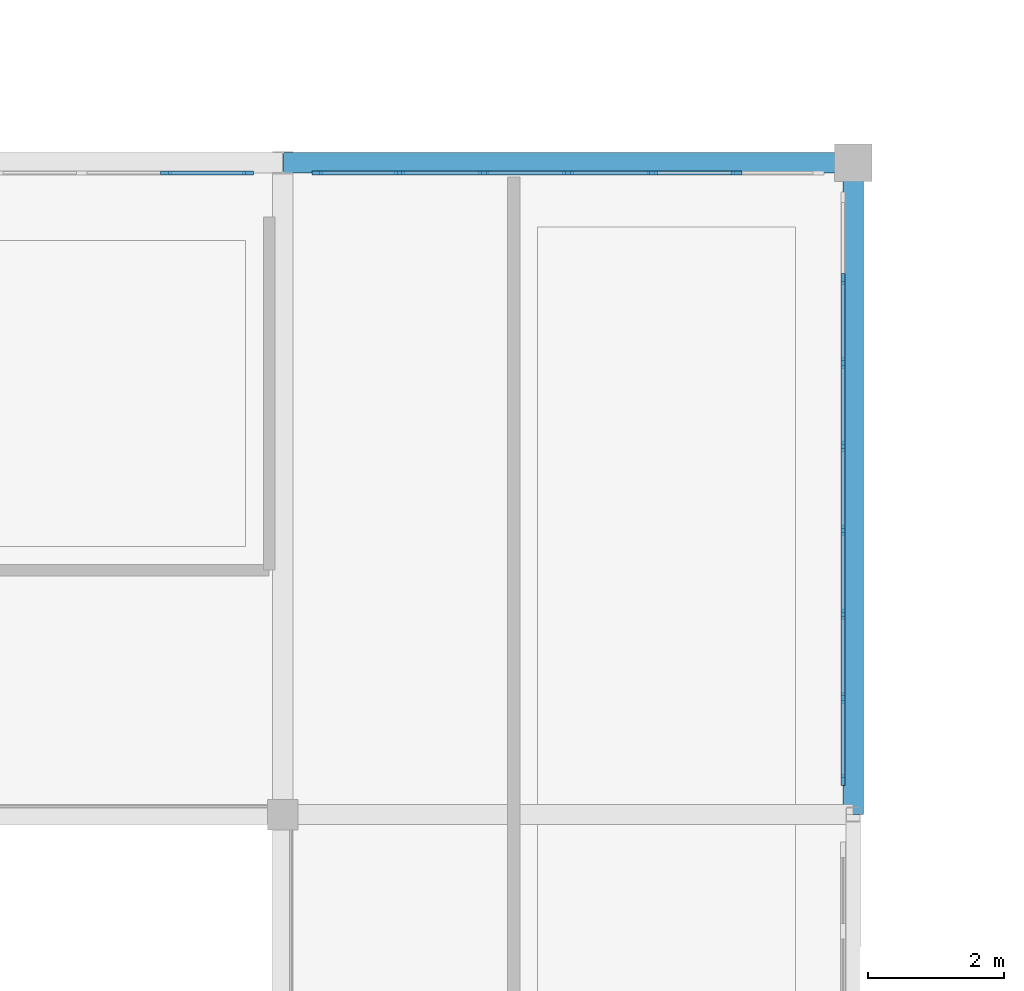
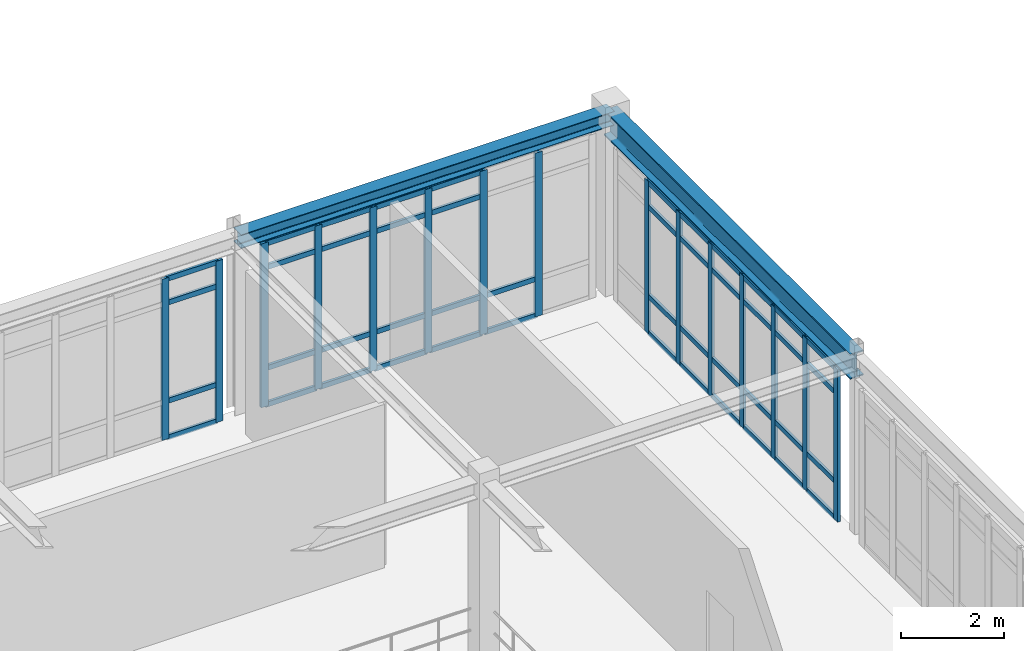
# One storey, part 62 of 106: 61 members, 2 beams, 3 elements without a shape of their own.
"""IFC4 building model written with IfcOpenShell, lengths in metres."""

from ifc_helpers import new_model, si_unit, derived_unit, direction, frame, origin, origin_2d, place, context, subcontext, project, spatial, rectangle, i_section, extrude, material, layer, layer_set, material_profile, profile_set, type_object, element, aggregate, save


model = new_model("IFC4")

# Units and contexts
model_context = context("Model", 3, precision=1e-05, world=origin(), true_north=direction((0.0, 1.0)))
body_context = subcontext(model_context, "Body", "Model", "MODEL_VIEW")
ifc_project = project(units=[si_unit("LENGTHUNIT", "METRE"), si_unit("AREAUNIT", "SQUARE_METRE"), si_unit("VOLUMEUNIT", "CUBIC_METRE"), si_unit("PLANEANGLEUNIT", "RADIAN"), si_unit("MASSUNIT", "GRAM", prefix="KILO"), derived_unit("THERMALTRANSMITTANCEUNIT", [(si_unit("POWERUNIT", "WATT"), 1), (si_unit("AREAUNIT", "SQUARE_METRE"), -1), (si_unit("THERMODYNAMICTEMPERATUREUNIT", "KELVIN"), -1)])], contexts=[model_context])

# Site, building, storey
site_placement = place(None, origin())
site = spatial("IfcSite", under=ifc_project, at=site_placement, CompositionType="ELEMENT")
building_placement = place(site_placement, origin())
building = spatial("IfcBuilding", under=site, at=building_placement, Name="Yasenodar Specialist Clinic", CompositionType="ELEMENT")
storey_placement = place(building_placement, frame((0.0, 0.0, 4.5)))
storey = spatial("IfcBuildingStorey", under=building, at=storey_placement, Name="L01", CompositionType="ELEMENT", Elevation=4.5)

# Beams
ifc_material_1 = material(Name="Steel S355", Category="steel")
ifc_material_profile_1 = material_profile(ifc_material_1, i_section(OverallWidth=0.300048828125, OverallDepth=0.330078125, WebThickness=0.009521484375, FlangeThickness=0.0166015625, FilletRadius=0.027099609375, at=origin_2d()), Name="HEA 340")
ifc_profile_set_1 = profile_set([ifc_material_profile_1], Name="Steel S355")
beam_type_1 = type_object("IfcBeamType", Name="BM-HEA340", PredefinedType="BEAM", material=ifc_profile_set_1)
beam_1_placement = place(storey_placement, frame((130.199951171875, 34.800048828125, 4.0849609375), z_axis=(1.0, 0.0, 0.0), x_axis=(0.0, 1.0, 0.0)))
element("IfcBeam", 1, at=beam_1_placement, inside=storey, type_object=beam_type_1, Name="L01 Primary E-W Girder", PredefinedType="BEAM", context=body_context, shape_type="SweptSolid", body=[
    extrude(i_section(OverallWidth=0.300048828125, OverallDepth=0.330078125, WebThickness=0.009521484375, FlangeThickness=0.0166015625, FilletRadius=0.027099609375, at=origin_2d()), origin(), (0.0, 0.0, 1.0), 8.400146484375),
])
ifc_material_profile_2 = material_profile(ifc_material_1, i_section(OverallWidth=0.300048828125, OverallDepth=0.60009765625, WebThickness=0.015380859375, FlangeThickness=0.030029296875, FilletRadius=0.027099609375, at=origin_2d()), Name="HEB 600")
ifc_profile_set_2 = profile_set([ifc_material_profile_2], Name="Steel S355")
beam_type_2 = type_object("IfcBeamType", Name="BM-HEB600", PredefinedType="BEAM", material=ifc_profile_set_2)
beam_2_placement = place(storey_placement, frame((138.60009765625, 25.199951171875, 3.949951171875), z_axis=(0.0, 1.0, 0.0), x_axis=(-1.0, 0.0, 0.0)))
element("IfcBeam", 2, at=beam_2_placement, inside=storey, type_object=beam_type_2, Name="L01 Primary N-S Girder", PredefinedType="BEAM", context=body_context, shape_type="SweptSolid", body=[
    extrude(i_section(OverallWidth=0.300048828125, OverallDepth=0.60009765625, WebThickness=0.015380859375, FlangeThickness=0.030029296875, FilletRadius=0.027099609375, at=origin_2d()), origin(), (0.0, 0.0, 1.0), 9.60009765625),
])

# Curtain wall, members
ifc_material_2 = material(Name="Bronze Anodized Aluminium and Triple Low-E Glass", Category="aluminium")
ifc_layer = layer(ifc_material_2, 0.178955078125)
ifc_layer_set = layer_set([ifc_layer], Name="Bronze Anodized Aluminium and Triple Low-E Glass")
curtain_wall_type = type_object("IfcCurtainWallType", Name="CW-SYS-02", PredefinedType="USERDEFINED", material=ifc_layer_set)
curtain_wall_1_placement = place(storey_placement, origin())
curtain_wall_1 = element("IfcCurtainWall", 3, at=curtain_wall_1_placement, inside=storey, type_object=curtain_wall_type, Name="L01 Unitised Curtain Wall 097", ObjectType="UNITISED CURTAIN WALL", PredefinedType="USERDEFINED")
ifc_material_3 = material(Name="Bronze Anodized Aluminium", Category="aluminium")
ifc_material_profile_3 = material_profile(ifc_material_3, rectangle(XDim=0.06005859375, YDim=0.159912109375, at=origin_2d()), Name="CW-MULL 60x160")
ifc_profile_set_3 = profile_set([ifc_material_profile_3], Name="Bronze Anodized Aluminium")
member_type_1 = type_object("IfcMemberType", Name="CW-MULL-160", PredefinedType="MULLION", material=ifc_profile_set_3)
member_1_placement = place(storey_placement, frame((128.47998046875, 34.64990234375, 0.0), z_axis=(0.0, 0.0, 1.0), x_axis=(0.0, 1.0, 0.0)))
member_1 = element("IfcMember", 4, at=member_1_placement, type_object=member_type_1, Name="CW-02 mullion 6", PredefinedType="MULLION", context=body_context, shape_type="SweptSolid", body=[
    extrude(rectangle(XDim=0.06005859375, YDim=0.159912109375, at=origin_2d()), origin(), (0.0, 0.0, 1.0), 3.837890625),
])
member_2_placement = place(storey_placement, frame((129.68994140625, 34.64990234375, 0.0), z_axis=(0.0, 0.0, 1.0), x_axis=(0.0, 1.0, 0.0)))
member_2 = element("IfcMember", 5, at=member_2_placement, type_object=member_type_1, Name="CW-02 mullion 7", PredefinedType="MULLION", context=body_context, shape_type="SweptSolid", body=[
    extrude(rectangle(XDim=0.06005859375, YDim=0.159912109375, at=origin_2d()), origin(), (0.0, 0.0, 1.0), 3.837890625),
])

curtain_wall_2_placement = place(storey_placement, origin())
curtain_wall_2 = element("IfcCurtainWall", 6, at=curtain_wall_2_placement, inside=storey, type_object=curtain_wall_type, Name="L01 Unitised Curtain Wall 098", ObjectType="UNITISED CURTAIN WALL", PredefinedType="USERDEFINED")
member_3_placement = place(storey_placement, frame((130.7099609375, 34.64990234375, 0.0), z_axis=(0.0, 0.0, 1.0), x_axis=(0.0, 1.0, 0.0)))
member_3 = element("IfcMember", 7, at=member_3_placement, type_object=member_type_1, Name="CW-02 mullion 1", PredefinedType="MULLION", context=body_context, shape_type="SweptSolid", body=[
    extrude(rectangle(XDim=0.06005859375, YDim=0.159912109375, at=origin_2d()), origin(), (0.0, 0.0, 1.0), 3.89794921875),
])
member_4_placement = place(storey_placement, frame((131.919921875, 34.64990234375, 0.0), z_axis=(0.0, 0.0, 1.0), x_axis=(0.0, 1.0, 0.0)))
member_4 = element("IfcMember", 8, at=member_4_placement, type_object=member_type_1, Name="CW-02 mullion 2", PredefinedType="MULLION", context=body_context, shape_type="SweptSolid", body=[
    extrude(rectangle(XDim=0.06005859375, YDim=0.159912109375, at=origin_2d()), origin(), (0.0, 0.0, 1.0), 3.89794921875),
])
member_5_placement = place(storey_placement, frame((133.159912109375, 34.64990234375, 0.0), z_axis=(0.0, 0.0, 1.0), x_axis=(0.0, 1.0, 0.0)))
member_5 = element("IfcMember", 9, at=member_5_placement, type_object=member_type_1, Name="CW-02 mullion 3", PredefinedType="MULLION", context=body_context, shape_type="SweptSolid", body=[
    extrude(rectangle(XDim=0.06005859375, YDim=0.159912109375, at=origin_2d()), origin(), (0.0, 0.0, 1.0), 3.89794921875),
])
member_6_placement = place(storey_placement, frame((134.39990234375, 34.64990234375, 0.0), z_axis=(0.0, 0.0, 1.0), x_axis=(0.0, 1.0, 0.0)))
member_6 = element("IfcMember", 10, at=member_6_placement, type_object=member_type_1, Name="CW-02 mullion 4", PredefinedType="MULLION", context=body_context, shape_type="SweptSolid", body=[
    extrude(rectangle(XDim=0.06005859375, YDim=0.159912109375, at=origin_2d()), origin(), (0.0, 0.0, 1.0), 3.89794921875),
])
member_7_placement = place(storey_placement, frame((135.639892578125, 34.64990234375, 0.0), z_axis=(0.0, 0.0, 1.0), x_axis=(0.0, 1.0, 0.0)))
member_7 = element("IfcMember", 11, at=member_7_placement, type_object=member_type_1, Name="CW-02 mullion 5", PredefinedType="MULLION", context=body_context, shape_type="SweptSolid", body=[
    extrude(rectangle(XDim=0.06005859375, YDim=0.159912109375, at=origin_2d()), origin(), (0.0, 0.0, 1.0), 3.89794921875),
])
member_8_placement = place(storey_placement, frame((136.8798828125, 34.64990234375, 0.0), z_axis=(0.0, 0.0, 1.0), x_axis=(0.0, 1.0, 0.0)))
member_8 = element("IfcMember", 12, at=member_8_placement, type_object=member_type_1, Name="CW-02 mullion 6", PredefinedType="MULLION", context=body_context, shape_type="SweptSolid", body=[
    extrude(rectangle(XDim=0.06005859375, YDim=0.159912109375, at=origin_2d()), origin(), (0.0, 0.0, 1.0), 3.89794921875),
])

curtain_wall_3_placement = place(storey_placement, origin())
curtain_wall_3 = element("IfcCurtainWall", 13, at=curtain_wall_3_placement, inside=storey, type_object=curtain_wall_type, Name="L01 Unitised Curtain Wall 099", ObjectType="UNITISED CURTAIN WALL", PredefinedType="USERDEFINED")
member_9_placement = place(storey_placement, frame((138.449951171875, 33.085693359375, 0.0), z_axis=(0.0, 0.0, 1.0), x_axis=(1.0, 0.0, 0.0)))
member_9 = element("IfcMember", 14, at=member_9_placement, type_object=member_type_1, Name="CW-02 mullion 2", PredefinedType="MULLION", context=body_context, shape_type="SweptSolid", body=[
    extrude(rectangle(XDim=0.06005859375, YDim=0.159912109375, at=origin_2d()), origin(), (0.0, 0.0, 1.0), 3.6279296875),
])
member_10_placement = place(storey_placement, frame((138.449951171875, 31.851318359375, 0.0), z_axis=(0.0, 0.0, 1.0), x_axis=(1.0, 0.0, 0.0)))
member_10 = element("IfcMember", 15, at=member_10_placement, type_object=member_type_1, Name="CW-02 mullion 3", PredefinedType="MULLION", context=body_context, shape_type="SweptSolid", body=[
    extrude(rectangle(XDim=0.06005859375, YDim=0.159912109375, at=origin_2d()), origin(), (0.0, 0.0, 1.0), 3.6279296875),
])
member_11_placement = place(storey_placement, frame((138.449951171875, 30.6171875, 0.0), z_axis=(0.0, 0.0, 1.0), x_axis=(1.0, 0.0, 0.0)))
member_11 = element("IfcMember", 16, at=member_11_placement, type_object=member_type_1, Name="CW-02 mullion 4", PredefinedType="MULLION", context=body_context, shape_type="SweptSolid", body=[
    extrude(rectangle(XDim=0.06005859375, YDim=0.159912109375, at=origin_2d()), origin(), (0.0, 0.0, 1.0), 3.6279296875),
])
member_12_placement = place(storey_placement, frame((138.449951171875, 29.3828125, 0.0), z_axis=(0.0, 0.0, 1.0), x_axis=(1.0, 0.0, 0.0)))
member_12 = element("IfcMember", 17, at=member_12_placement, type_object=member_type_1, Name="CW-02 mullion 5", PredefinedType="MULLION", context=body_context, shape_type="SweptSolid", body=[
    extrude(rectangle(XDim=0.06005859375, YDim=0.159912109375, at=origin_2d()), origin(), (0.0, 0.0, 1.0), 3.6279296875),
])
member_13_placement = place(storey_placement, frame((138.449951171875, 28.148681640625, 0.0), z_axis=(0.0, 0.0, 1.0), x_axis=(1.0, 0.0, 0.0)))
member_13 = element("IfcMember", 18, at=member_13_placement, type_object=member_type_1, Name="CW-02 mullion 6", PredefinedType="MULLION", context=body_context, shape_type="SweptSolid", body=[
    extrude(rectangle(XDim=0.06005859375, YDim=0.159912109375, at=origin_2d()), origin(), (0.0, 0.0, 1.0), 3.6279296875),
])
member_14_placement = place(storey_placement, frame((138.449951171875, 26.914306640625, 0.0), z_axis=(0.0, 0.0, 1.0), x_axis=(1.0, 0.0, 0.0)))
member_14 = element("IfcMember", 19, at=member_14_placement, type_object=member_type_1, Name="CW-02 mullion 7", PredefinedType="MULLION", context=body_context, shape_type="SweptSolid", body=[
    extrude(rectangle(XDim=0.06005859375, YDim=0.159912109375, at=origin_2d()), origin(), (0.0, 0.0, 1.0), 3.6279296875),
])
member_15_placement = place(storey_placement, frame((138.449951171875, 25.7099609375, 0.0), z_axis=(0.0, 0.0, 1.0), x_axis=(1.0, 0.0, 0.0)))
member_15 = element("IfcMember", 20, at=member_15_placement, type_object=member_type_1, Name="CW-02 mullion 8", PredefinedType="MULLION", context=body_context, shape_type="SweptSolid", body=[
    extrude(rectangle(XDim=0.06005859375, YDim=0.159912109375, at=origin_2d()), origin(), (0.0, 0.0, 1.0), 3.6279296875),
])

# Member
ifc_material_profile_4 = material_profile(ifc_material_3, rectangle(XDim=0.06005859375, YDim=0.1201171875, at=origin_2d()), Name="CW-TRAN 60x120")
ifc_profile_set_4 = profile_set([ifc_material_profile_4], Name="Bronze Anodized Aluminium")
member_type_2 = type_object("IfcMemberType", Name="CW-TRAN-120", PredefinedType="USERDEFINED", material=ifc_profile_set_4)
member_16_placement = place(storey_placement, frame((128.510009765625, 34.64990234375, 0.030029296875), z_axis=(1.0, 0.0, 0.0), x_axis=(0.0, 1.0, 0.0)))
member_16 = element("IfcMember", 21, at=member_16_placement, type_object=member_type_2, Name="CW-02 transom 6.1", ObjectType="TRANSOM", PredefinedType="USERDEFINED", context=body_context, shape_type="SweptSolid", body=[
    extrude(rectangle(XDim=0.06005859375, YDim=0.1201171875, at=origin_2d()), origin(), (0.0, 0.0, 1.0), 1.14990234375),
])

member_17_placement = place(storey_placement, frame((128.510009765625, 34.64990234375, 0.89990234375), z_axis=(1.0, 0.0, 0.0), x_axis=(0.0, 1.0, 0.0)))
member_17 = element("IfcMember", 22, at=member_17_placement, type_object=member_type_2, Name="CW-02 transom 6.2", ObjectType="TRANSOM", PredefinedType="USERDEFINED", context=body_context, shape_type="SweptSolid", body=[
    extrude(rectangle(XDim=0.06005859375, YDim=0.1201171875, at=origin_2d()), origin(), (0.0, 0.0, 1.0), 1.14990234375),
])

member_18_placement = place(storey_placement, frame((128.510009765625, 34.64990234375, 3.238037109375), z_axis=(1.0, 0.0, 0.0), x_axis=(0.0, 1.0, 0.0)))
member_18 = element("IfcMember", 23, at=member_18_placement, type_object=member_type_2, Name="CW-02 transom 6.3", ObjectType="TRANSOM", PredefinedType="USERDEFINED", context=body_context, shape_type="SweptSolid", body=[
    extrude(rectangle(XDim=0.06005859375, YDim=0.1201171875, at=origin_2d()), origin(), (0.0, 0.0, 1.0), 1.14990234375),
])

member_19_placement = place(storey_placement, frame((128.510009765625, 34.64990234375, 3.80810546875), z_axis=(1.0, 0.0, 0.0), x_axis=(0.0, 1.0, 0.0)))
member_19 = element("IfcMember", 24, at=member_19_placement, type_object=member_type_2, Name="CW-02 transom 6.4", ObjectType="TRANSOM", PredefinedType="USERDEFINED", context=body_context, shape_type="SweptSolid", body=[
    extrude(rectangle(XDim=0.06005859375, YDim=0.1201171875, at=origin_2d()), origin(), (0.0, 0.0, 1.0), 1.14990234375),
])

aggregate(curtain_wall_1, [member_1, member_2, member_16, member_17, member_18, member_19])

member_20_placement = place(storey_placement, frame((130.739990234375, 34.64990234375, 0.030029296875), z_axis=(1.0, 0.0, 0.0), x_axis=(0.0, 1.0, 0.0)))
member_20 = element("IfcMember", 25, at=member_20_placement, type_object=member_type_2, Name="CW-02 transom 1.1", ObjectType="TRANSOM", PredefinedType="USERDEFINED", context=body_context, shape_type="SweptSolid", body=[
    extrude(rectangle(XDim=0.06005859375, YDim=0.1201171875, at=origin_2d()), origin(), (0.0, 0.0, 1.0), 1.14990234375),
])

member_21_placement = place(storey_placement, frame((130.739990234375, 34.64990234375, 0.89990234375), z_axis=(1.0, 0.0, 0.0), x_axis=(0.0, 1.0, 0.0)))
member_21 = element("IfcMember", 26, at=member_21_placement, type_object=member_type_2, Name="CW-02 transom 1.2", ObjectType="TRANSOM", PredefinedType="USERDEFINED", context=body_context, shape_type="SweptSolid", body=[
    extrude(rectangle(XDim=0.06005859375, YDim=0.1201171875, at=origin_2d()), origin(), (0.0, 0.0, 1.0), 1.14990234375),
])

member_22_placement = place(storey_placement, frame((130.739990234375, 34.64990234375, 3.298095703125), z_axis=(1.0, 0.0, 0.0), x_axis=(0.0, 1.0, 0.0)))
member_22 = element("IfcMember", 27, at=member_22_placement, type_object=member_type_2, Name="CW-02 transom 1.3", ObjectType="TRANSOM", PredefinedType="USERDEFINED", context=body_context, shape_type="SweptSolid", body=[
    extrude(rectangle(XDim=0.06005859375, YDim=0.1201171875, at=origin_2d()), origin(), (0.0, 0.0, 1.0), 1.14990234375),
])

member_23_placement = place(storey_placement, frame((130.739990234375, 34.64990234375, 3.867919921875), z_axis=(1.0, 0.0, 0.0), x_axis=(0.0, 1.0, 0.0)))
member_23 = element("IfcMember", 28, at=member_23_placement, type_object=member_type_2, Name="CW-02 transom 1.4", ObjectType="TRANSOM", PredefinedType="USERDEFINED", context=body_context, shape_type="SweptSolid", body=[
    extrude(rectangle(XDim=0.06005859375, YDim=0.1201171875, at=origin_2d()), origin(), (0.0, 0.0, 1.0), 1.14990234375),
])

member_24_placement = place(storey_placement, frame((131.949951171875, 34.64990234375, 0.030029296875), z_axis=(1.0, 0.0, 0.0), x_axis=(0.0, 1.0, 0.0)))
member_24 = element("IfcMember", 29, at=member_24_placement, type_object=member_type_2, Name="CW-02 transom 2.1", ObjectType="TRANSOM", PredefinedType="USERDEFINED", context=body_context, shape_type="SweptSolid", body=[
    extrude(rectangle(XDim=0.06005859375, YDim=0.1201171875, at=origin_2d()), origin(), (0.0, 0.0, 1.0), 1.179931640625),
])

member_25_placement = place(storey_placement, frame((131.949951171875, 34.64990234375, 0.89990234375), z_axis=(1.0, 0.0, 0.0), x_axis=(0.0, 1.0, 0.0)))
member_25 = element("IfcMember", 30, at=member_25_placement, type_object=member_type_2, Name="CW-02 transom 2.2", ObjectType="TRANSOM", PredefinedType="USERDEFINED", context=body_context, shape_type="SweptSolid", body=[
    extrude(rectangle(XDim=0.06005859375, YDim=0.1201171875, at=origin_2d()), origin(), (0.0, 0.0, 1.0), 1.179931640625),
])

member_26_placement = place(storey_placement, frame((131.949951171875, 34.64990234375, 3.298095703125), z_axis=(1.0, 0.0, 0.0), x_axis=(0.0, 1.0, 0.0)))
member_26 = element("IfcMember", 31, at=member_26_placement, type_object=member_type_2, Name="CW-02 transom 2.3", ObjectType="TRANSOM", PredefinedType="USERDEFINED", context=body_context, shape_type="SweptSolid", body=[
    extrude(rectangle(XDim=0.06005859375, YDim=0.1201171875, at=origin_2d()), origin(), (0.0, 0.0, 1.0), 1.179931640625),
])

member_27_placement = place(storey_placement, frame((131.949951171875, 34.64990234375, 3.867919921875), z_axis=(1.0, 0.0, 0.0), x_axis=(0.0, 1.0, 0.0)))
member_27 = element("IfcMember", 32, at=member_27_placement, type_object=member_type_2, Name="CW-02 transom 2.4", ObjectType="TRANSOM", PredefinedType="USERDEFINED", context=body_context, shape_type="SweptSolid", body=[
    extrude(rectangle(XDim=0.06005859375, YDim=0.1201171875, at=origin_2d()), origin(), (0.0, 0.0, 1.0), 1.179931640625),
])

member_28_placement = place(storey_placement, frame((133.18994140625, 34.64990234375, 0.030029296875), z_axis=(1.0, 0.0, 0.0), x_axis=(0.0, 1.0, 0.0)))
member_28 = element("IfcMember", 33, at=member_28_placement, type_object=member_type_2, Name="CW-02 transom 3.1", ObjectType="TRANSOM", PredefinedType="USERDEFINED", context=body_context, shape_type="SweptSolid", body=[
    extrude(rectangle(XDim=0.06005859375, YDim=0.1201171875, at=origin_2d()), origin(), (0.0, 0.0, 1.0), 1.18017578125),
])

member_29_placement = place(storey_placement, frame((133.18994140625, 34.64990234375, 0.89990234375), z_axis=(1.0, 0.0, 0.0), x_axis=(0.0, 1.0, 0.0)))
member_29 = element("IfcMember", 34, at=member_29_placement, type_object=member_type_2, Name="CW-02 transom 3.2", ObjectType="TRANSOM", PredefinedType="USERDEFINED", context=body_context, shape_type="SweptSolid", body=[
    extrude(rectangle(XDim=0.06005859375, YDim=0.1201171875, at=origin_2d()), origin(), (0.0, 0.0, 1.0), 1.18017578125),
])

member_30_placement = place(storey_placement, frame((133.18994140625, 34.64990234375, 3.298095703125), z_axis=(1.0, 0.0, 0.0), x_axis=(0.0, 1.0, 0.0)))
member_30 = element("IfcMember", 35, at=member_30_placement, type_object=member_type_2, Name="CW-02 transom 3.3", ObjectType="TRANSOM", PredefinedType="USERDEFINED", context=body_context, shape_type="SweptSolid", body=[
    extrude(rectangle(XDim=0.06005859375, YDim=0.1201171875, at=origin_2d()), origin(), (0.0, 0.0, 1.0), 1.18017578125),
])

member_31_placement = place(storey_placement, frame((133.18994140625, 34.64990234375, 3.867919921875), z_axis=(1.0, 0.0, 0.0), x_axis=(0.0, 1.0, 0.0)))
member_31 = element("IfcMember", 36, at=member_31_placement, type_object=member_type_2, Name="CW-02 transom 3.4", ObjectType="TRANSOM", PredefinedType="USERDEFINED", context=body_context, shape_type="SweptSolid", body=[
    extrude(rectangle(XDim=0.06005859375, YDim=0.1201171875, at=origin_2d()), origin(), (0.0, 0.0, 1.0), 1.18017578125),
])

member_32_placement = place(storey_placement, frame((134.429931640625, 34.64990234375, 0.030029296875), z_axis=(1.0, 0.0, 0.0), x_axis=(0.0, 1.0, 0.0)))
member_32 = element("IfcMember", 37, at=member_32_placement, type_object=member_type_2, Name="CW-02 transom 4.1", ObjectType="TRANSOM", PredefinedType="USERDEFINED", context=body_context, shape_type="SweptSolid", body=[
    extrude(rectangle(XDim=0.06005859375, YDim=0.1201171875, at=origin_2d()), origin(), (0.0, 0.0, 1.0), 1.18017578125),
])

member_33_placement = place(storey_placement, frame((134.429931640625, 34.64990234375, 0.89990234375), z_axis=(1.0, 0.0, 0.0), x_axis=(0.0, 1.0, 0.0)))
member_33 = element("IfcMember", 38, at=member_33_placement, type_object=member_type_2, Name="CW-02 transom 4.2", ObjectType="TRANSOM", PredefinedType="USERDEFINED", context=body_context, shape_type="SweptSolid", body=[
    extrude(rectangle(XDim=0.06005859375, YDim=0.1201171875, at=origin_2d()), origin(), (0.0, 0.0, 1.0), 1.18017578125),
])

member_34_placement = place(storey_placement, frame((134.429931640625, 34.64990234375, 3.298095703125), z_axis=(1.0, 0.0, 0.0), x_axis=(0.0, 1.0, 0.0)))
member_34 = element("IfcMember", 39, at=member_34_placement, type_object=member_type_2, Name="CW-02 transom 4.3", ObjectType="TRANSOM", PredefinedType="USERDEFINED", context=body_context, shape_type="SweptSolid", body=[
    extrude(rectangle(XDim=0.06005859375, YDim=0.1201171875, at=origin_2d()), origin(), (0.0, 0.0, 1.0), 1.18017578125),
])

member_35_placement = place(storey_placement, frame((134.429931640625, 34.64990234375, 3.867919921875), z_axis=(1.0, 0.0, 0.0), x_axis=(0.0, 1.0, 0.0)))
member_35 = element("IfcMember", 40, at=member_35_placement, type_object=member_type_2, Name="CW-02 transom 4.4", ObjectType="TRANSOM", PredefinedType="USERDEFINED", context=body_context, shape_type="SweptSolid", body=[
    extrude(rectangle(XDim=0.06005859375, YDim=0.1201171875, at=origin_2d()), origin(), (0.0, 0.0, 1.0), 1.18017578125),
])

member_36_placement = place(storey_placement, frame((135.669921875, 34.64990234375, 0.030029296875), z_axis=(1.0, 0.0, 0.0), x_axis=(0.0, 1.0, 0.0)))
member_36 = element("IfcMember", 41, at=member_36_placement, type_object=member_type_2, Name="CW-02 transom 5.1", ObjectType="TRANSOM", PredefinedType="USERDEFINED", context=body_context, shape_type="SweptSolid", body=[
    extrude(rectangle(XDim=0.06005859375, YDim=0.1201171875, at=origin_2d()), origin(), (0.0, 0.0, 1.0), 1.18017578125),
])

member_37_placement = place(storey_placement, frame((135.669921875, 34.64990234375, 0.89990234375), z_axis=(1.0, 0.0, 0.0), x_axis=(0.0, 1.0, 0.0)))
member_37 = element("IfcMember", 42, at=member_37_placement, type_object=member_type_2, Name="CW-02 transom 5.2", ObjectType="TRANSOM", PredefinedType="USERDEFINED", context=body_context, shape_type="SweptSolid", body=[
    extrude(rectangle(XDim=0.06005859375, YDim=0.1201171875, at=origin_2d()), origin(), (0.0, 0.0, 1.0), 1.18017578125),
])

aggregate(curtain_wall_2, [member_3, member_4, member_5, member_6, member_7, member_8, member_20, member_21, member_22, member_23, member_24, member_25, member_26, member_27, member_28, member_29, member_30, member_31, member_32, member_33, member_34, member_35, member_36, member_37])

member_38_placement = place(storey_placement, frame((138.449951171875, 33.0556640625, 0.030029296875), z_axis=(0.0, -1.0, 0.0), x_axis=(1.0, 0.0, 0.0)))
member_38 = element("IfcMember", 43, at=member_38_placement, type_object=member_type_2, Name="CW-02 transom 2.1", ObjectType="TRANSOM", PredefinedType="USERDEFINED", context=body_context, shape_type="SweptSolid", body=[
    extrude(rectangle(XDim=0.06005859375, YDim=0.1201171875, at=origin_2d()), origin(), (0.0, 0.0, 1.0), 1.17431640625),
])

member_39_placement = place(storey_placement, frame((138.449951171875, 33.0556640625, 0.89990234375), z_axis=(0.0, -1.0, 0.0), x_axis=(1.0, 0.0, 0.0)))
member_39 = element("IfcMember", 44, at=member_39_placement, type_object=member_type_2, Name="CW-02 transom 2.2", ObjectType="TRANSOM", PredefinedType="USERDEFINED", context=body_context, shape_type="SweptSolid", body=[
    extrude(rectangle(XDim=0.06005859375, YDim=0.1201171875, at=origin_2d()), origin(), (0.0, 0.0, 1.0), 1.17431640625),
])

member_40_placement = place(storey_placement, frame((138.449951171875, 33.0556640625, 3.028076171875), z_axis=(0.0, -1.0, 0.0), x_axis=(1.0, 0.0, 0.0)))
member_40 = element("IfcMember", 45, at=member_40_placement, type_object=member_type_2, Name="CW-02 transom 2.3", ObjectType="TRANSOM", PredefinedType="USERDEFINED", context=body_context, shape_type="SweptSolid", body=[
    extrude(rectangle(XDim=0.06005859375, YDim=0.1201171875, at=origin_2d()), origin(), (0.0, 0.0, 1.0), 1.17431640625),
])

member_41_placement = place(storey_placement, frame((138.449951171875, 33.0556640625, 3.597900390625), z_axis=(0.0, -1.0, 0.0), x_axis=(1.0, 0.0, 0.0)))
member_41 = element("IfcMember", 46, at=member_41_placement, type_object=member_type_2, Name="CW-02 transom 2.4", ObjectType="TRANSOM", PredefinedType="USERDEFINED", context=body_context, shape_type="SweptSolid", body=[
    extrude(rectangle(XDim=0.06005859375, YDim=0.1201171875, at=origin_2d()), origin(), (0.0, 0.0, 1.0), 1.17431640625),
])

member_42_placement = place(storey_placement, frame((138.449951171875, 31.821533203125, 0.030029296875), z_axis=(0.0, -1.0, 0.0), x_axis=(1.0, 0.0, 0.0)))
member_42 = element("IfcMember", 47, at=member_42_placement, type_object=member_type_2, Name="CW-02 transom 3.1", ObjectType="TRANSOM", PredefinedType="USERDEFINED", context=body_context, shape_type="SweptSolid", body=[
    extrude(rectangle(XDim=0.06005859375, YDim=0.1201171875, at=origin_2d()), origin(), (0.0, 0.0, 1.0), 1.17431640625),
])

member_43_placement = place(storey_placement, frame((138.449951171875, 31.821533203125, 0.89990234375), z_axis=(0.0, -1.0, 0.0), x_axis=(1.0, 0.0, 0.0)))
member_43 = element("IfcMember", 48, at=member_43_placement, type_object=member_type_2, Name="CW-02 transom 3.2", ObjectType="TRANSOM", PredefinedType="USERDEFINED", context=body_context, shape_type="SweptSolid", body=[
    extrude(rectangle(XDim=0.06005859375, YDim=0.1201171875, at=origin_2d()), origin(), (0.0, 0.0, 1.0), 1.17431640625),
])

member_44_placement = place(storey_placement, frame((138.449951171875, 31.821533203125, 3.028076171875), z_axis=(0.0, -1.0, 0.0), x_axis=(1.0, 0.0, 0.0)))
member_44 = element("IfcMember", 49, at=member_44_placement, type_object=member_type_2, Name="CW-02 transom 3.3", ObjectType="TRANSOM", PredefinedType="USERDEFINED", context=body_context, shape_type="SweptSolid", body=[
    extrude(rectangle(XDim=0.06005859375, YDim=0.1201171875, at=origin_2d()), origin(), (0.0, 0.0, 1.0), 1.17431640625),
])

member_45_placement = place(storey_placement, frame((138.449951171875, 31.821533203125, 3.597900390625), z_axis=(0.0, -1.0, 0.0), x_axis=(1.0, 0.0, 0.0)))
member_45 = element("IfcMember", 50, at=member_45_placement, type_object=member_type_2, Name="CW-02 transom 3.4", ObjectType="TRANSOM", PredefinedType="USERDEFINED", context=body_context, shape_type="SweptSolid", body=[
    extrude(rectangle(XDim=0.06005859375, YDim=0.1201171875, at=origin_2d()), origin(), (0.0, 0.0, 1.0), 1.17431640625),
])

member_46_placement = place(storey_placement, frame((138.449951171875, 30.587158203125, 0.030029296875), z_axis=(0.0, -1.0, 0.0), x_axis=(1.0, 0.0, 0.0)))
member_46 = element("IfcMember", 51, at=member_46_placement, type_object=member_type_2, Name="CW-02 transom 4.1", ObjectType="TRANSOM", PredefinedType="USERDEFINED", context=body_context, shape_type="SweptSolid", body=[
    extrude(rectangle(XDim=0.06005859375, YDim=0.1201171875, at=origin_2d()), origin(), (0.0, 0.0, 1.0), 1.17431640625),
])

member_47_placement = place(storey_placement, frame((138.449951171875, 30.587158203125, 0.89990234375), z_axis=(0.0, -1.0, 0.0), x_axis=(1.0, 0.0, 0.0)))
member_47 = element("IfcMember", 52, at=member_47_placement, type_object=member_type_2, Name="CW-02 transom 4.2", ObjectType="TRANSOM", PredefinedType="USERDEFINED", context=body_context, shape_type="SweptSolid", body=[
    extrude(rectangle(XDim=0.06005859375, YDim=0.1201171875, at=origin_2d()), origin(), (0.0, 0.0, 1.0), 1.17431640625),
])

member_48_placement = place(storey_placement, frame((138.449951171875, 30.587158203125, 3.028076171875), z_axis=(0.0, -1.0, 0.0), x_axis=(1.0, 0.0, 0.0)))
member_48 = element("IfcMember", 53, at=member_48_placement, type_object=member_type_2, Name="CW-02 transom 4.3", ObjectType="TRANSOM", PredefinedType="USERDEFINED", context=body_context, shape_type="SweptSolid", body=[
    extrude(rectangle(XDim=0.06005859375, YDim=0.1201171875, at=origin_2d()), origin(), (0.0, 0.0, 1.0), 1.17431640625),
])

member_49_placement = place(storey_placement, frame((138.449951171875, 30.587158203125, 3.597900390625), z_axis=(0.0, -1.0, 0.0), x_axis=(1.0, 0.0, 0.0)))
member_49 = element("IfcMember", 54, at=member_49_placement, type_object=member_type_2, Name="CW-02 transom 4.4", ObjectType="TRANSOM", PredefinedType="USERDEFINED", context=body_context, shape_type="SweptSolid", body=[
    extrude(rectangle(XDim=0.06005859375, YDim=0.1201171875, at=origin_2d()), origin(), (0.0, 0.0, 1.0), 1.17431640625),
])

member_50_placement = place(storey_placement, frame((138.449951171875, 29.352783203125, 0.030029296875), z_axis=(0.0, -1.0, 0.0), x_axis=(1.0, 0.0, 0.0)))
member_50 = element("IfcMember", 55, at=member_50_placement, type_object=member_type_2, Name="CW-02 transom 5.1", ObjectType="TRANSOM", PredefinedType="USERDEFINED", context=body_context, shape_type="SweptSolid", body=[
    extrude(rectangle(XDim=0.06005859375, YDim=0.1201171875, at=origin_2d()), origin(), (0.0, 0.0, 1.0), 1.17431640625),
])

member_51_placement = place(storey_placement, frame((138.449951171875, 29.352783203125, 0.89990234375), z_axis=(0.0, -1.0, 0.0), x_axis=(1.0, 0.0, 0.0)))
member_51 = element("IfcMember", 56, at=member_51_placement, type_object=member_type_2, Name="CW-02 transom 5.2", ObjectType="TRANSOM", PredefinedType="USERDEFINED", context=body_context, shape_type="SweptSolid", body=[
    extrude(rectangle(XDim=0.06005859375, YDim=0.1201171875, at=origin_2d()), origin(), (0.0, 0.0, 1.0), 1.17431640625),
])

member_52_placement = place(storey_placement, frame((138.449951171875, 29.352783203125, 3.028076171875), z_axis=(0.0, -1.0, 0.0), x_axis=(1.0, 0.0, 0.0)))
member_52 = element("IfcMember", 57, at=member_52_placement, type_object=member_type_2, Name="CW-02 transom 5.3", ObjectType="TRANSOM", PredefinedType="USERDEFINED", context=body_context, shape_type="SweptSolid", body=[
    extrude(rectangle(XDim=0.06005859375, YDim=0.1201171875, at=origin_2d()), origin(), (0.0, 0.0, 1.0), 1.17431640625),
])

member_53_placement = place(storey_placement, frame((138.449951171875, 29.352783203125, 3.597900390625), z_axis=(0.0, -1.0, 0.0), x_axis=(1.0, 0.0, 0.0)))
member_53 = element("IfcMember", 58, at=member_53_placement, type_object=member_type_2, Name="CW-02 transom 5.4", ObjectType="TRANSOM", PredefinedType="USERDEFINED", context=body_context, shape_type="SweptSolid", body=[
    extrude(rectangle(XDim=0.06005859375, YDim=0.1201171875, at=origin_2d()), origin(), (0.0, 0.0, 1.0), 1.17431640625),
])

member_54_placement = place(storey_placement, frame((138.449951171875, 28.11865234375, 0.030029296875), z_axis=(0.0, -1.0, 0.0), x_axis=(1.0, 0.0, 0.0)))
member_54 = element("IfcMember", 59, at=member_54_placement, type_object=member_type_2, Name="CW-02 transom 6.1", ObjectType="TRANSOM", PredefinedType="USERDEFINED", context=body_context, shape_type="SweptSolid", body=[
    extrude(rectangle(XDim=0.06005859375, YDim=0.1201171875, at=origin_2d()), origin(), (0.0, 0.0, 1.0), 1.17431640625),
])

member_55_placement = place(storey_placement, frame((138.449951171875, 28.11865234375, 0.89990234375), z_axis=(0.0, -1.0, 0.0), x_axis=(1.0, 0.0, 0.0)))
member_55 = element("IfcMember", 60, at=member_55_placement, type_object=member_type_2, Name="CW-02 transom 6.2", ObjectType="TRANSOM", PredefinedType="USERDEFINED", context=body_context, shape_type="SweptSolid", body=[
    extrude(rectangle(XDim=0.06005859375, YDim=0.1201171875, at=origin_2d()), origin(), (0.0, 0.0, 1.0), 1.17431640625),
])

member_56_placement = place(storey_placement, frame((138.449951171875, 28.11865234375, 3.028076171875), z_axis=(0.0, -1.0, 0.0), x_axis=(1.0, 0.0, 0.0)))
member_56 = element("IfcMember", 61, at=member_56_placement, type_object=member_type_2, Name="CW-02 transom 6.3", ObjectType="TRANSOM", PredefinedType="USERDEFINED", context=body_context, shape_type="SweptSolid", body=[
    extrude(rectangle(XDim=0.06005859375, YDim=0.1201171875, at=origin_2d()), origin(), (0.0, 0.0, 1.0), 1.17431640625),
])

member_57_placement = place(storey_placement, frame((138.449951171875, 28.11865234375, 3.597900390625), z_axis=(0.0, -1.0, 0.0), x_axis=(1.0, 0.0, 0.0)))
member_57 = element("IfcMember", 62, at=member_57_placement, type_object=member_type_2, Name="CW-02 transom 6.4", ObjectType="TRANSOM", PredefinedType="USERDEFINED", context=body_context, shape_type="SweptSolid", body=[
    extrude(rectangle(XDim=0.06005859375, YDim=0.1201171875, at=origin_2d()), origin(), (0.0, 0.0, 1.0), 1.17431640625),
])

member_58_placement = place(storey_placement, frame((138.449951171875, 26.88427734375, 0.030029296875), z_axis=(0.0, -1.0, 0.0), x_axis=(1.0, 0.0, 0.0)))
member_58 = element("IfcMember", 63, at=member_58_placement, type_object=member_type_2, Name="CW-02 transom 7.1", ObjectType="TRANSOM", PredefinedType="USERDEFINED", context=body_context, shape_type="SweptSolid", body=[
    extrude(rectangle(XDim=0.06005859375, YDim=0.1201171875, at=origin_2d()), origin(), (0.0, 0.0, 1.0), 1.144287109375),
])

member_59_placement = place(storey_placement, frame((138.449951171875, 26.88427734375, 0.89990234375), z_axis=(0.0, -1.0, 0.0), x_axis=(1.0, 0.0, 0.0)))
member_59 = element("IfcMember", 64, at=member_59_placement, type_object=member_type_2, Name="CW-02 transom 7.2", ObjectType="TRANSOM", PredefinedType="USERDEFINED", context=body_context, shape_type="SweptSolid", body=[
    extrude(rectangle(XDim=0.06005859375, YDim=0.1201171875, at=origin_2d()), origin(), (0.0, 0.0, 1.0), 1.144287109375),
])

member_60_placement = place(storey_placement, frame((138.449951171875, 26.88427734375, 3.028076171875), z_axis=(0.0, -1.0, 0.0), x_axis=(1.0, 0.0, 0.0)))
member_60 = element("IfcMember", 65, at=member_60_placement, type_object=member_type_2, Name="CW-02 transom 7.3", ObjectType="TRANSOM", PredefinedType="USERDEFINED", context=body_context, shape_type="SweptSolid", body=[
    extrude(rectangle(XDim=0.06005859375, YDim=0.1201171875, at=origin_2d()), origin(), (0.0, 0.0, 1.0), 1.144287109375),
])

member_61_placement = place(storey_placement, frame((138.449951171875, 26.88427734375, 3.597900390625), z_axis=(0.0, -1.0, 0.0), x_axis=(1.0, 0.0, 0.0)))
member_61 = element("IfcMember", 66, at=member_61_placement, type_object=member_type_2, Name="CW-02 transom 7.4", ObjectType="TRANSOM", PredefinedType="USERDEFINED", context=body_context, shape_type="SweptSolid", body=[
    extrude(rectangle(XDim=0.06005859375, YDim=0.1201171875, at=origin_2d()), origin(), (0.0, 0.0, 1.0), 1.144287109375),
])

aggregate(curtain_wall_3, [member_9, member_10, member_11, member_12, member_13, member_14, member_15, member_38, member_39, member_40, member_41, member_42, member_43, member_44, member_45, member_46, member_47, member_48, member_49, member_50, member_51, member_52, member_53, member_54, member_55, member_56, member_57, member_58, member_59, member_60, member_61])

save(model, "model.ifc")
